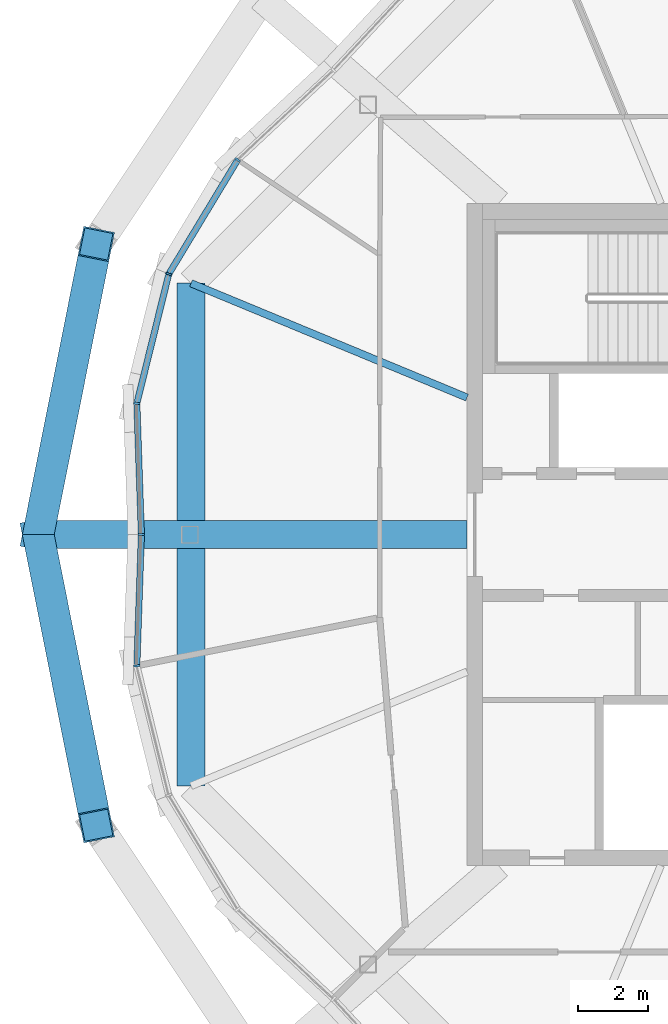
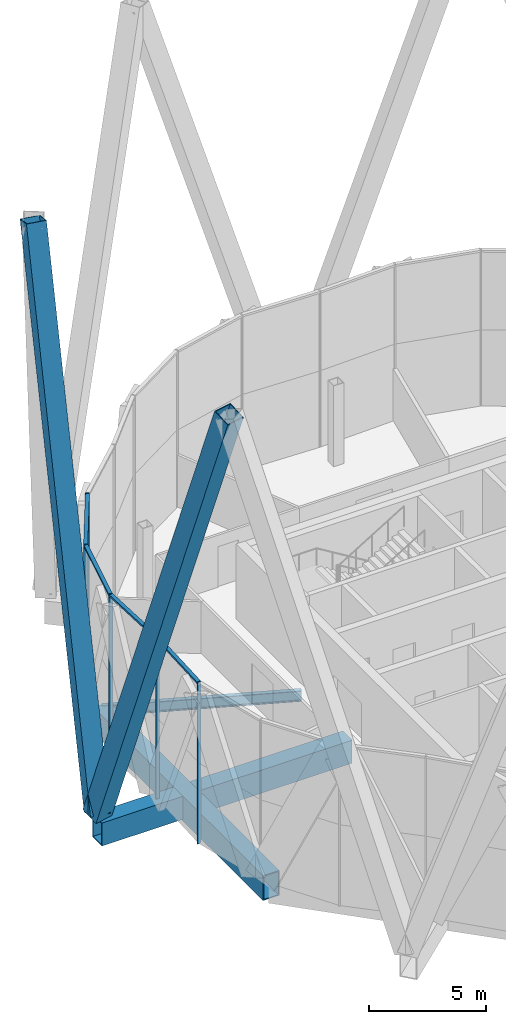
# One storey, part 5 of 38: 11 members, 3 beams, 2 elements without a shape of their own.
"""IFC4 building model written with IfcOpenShell, lengths in metres."""

from ifc_helpers import new_model, si_unit, direction, frame, origin, origin_2d, place, context, subcontext, project, spatial, rectangle, hollow_rectangle, i_section, extrude, material, material_profile, profile_set, type_object, element, aggregate, save


model = new_model("IFC4")

# Units and contexts
model_context = context("Model", 3, precision=1e-05, world=origin(), true_north=direction((0.0, 1.0)))
body_context = subcontext(model_context, "Body", "Model", "MODEL_VIEW")
ifc_project = project(units=[si_unit("LENGTHUNIT", "METRE"), si_unit("AREAUNIT", "SQUARE_METRE"), si_unit("VOLUMEUNIT", "CUBIC_METRE"), si_unit("PLANEANGLEUNIT", "RADIAN"), si_unit("MASSUNIT", "GRAM", prefix="KILO")], contexts=[model_context])

# Site, building, storey
site_placement = place(None, origin())
site = spatial("IfcSite", under=ifc_project, at=site_placement, CompositionType="ELEMENT")
building_placement = place(site_placement, origin())
building = spatial("IfcBuilding", under=site, at=building_placement, Name="Ogive Gate Towers", CompositionType="ELEMENT")
storey_placement = place(building_placement, frame((0.0, 0.0, 268.800048828125)))
storey = spatial("IfcBuildingStorey", under=building, at=storey_placement, Name="L63", CompositionType="ELEMENT", Elevation=268.800048828125)

# Members
ifc_material_1 = material(Name="Steel SM460", Category="steel")
ifc_material_profile_1 = material_profile(ifc_material_1, hollow_rectangle(XDim=0.89990234375, YDim=0.89990234375, WallThickness=0.0400390625, at=origin_2d()), Name="BX 900x900x40")
ifc_profile_set_1 = profile_set([ifc_material_profile_1], Name="Steel SM460")
member_type_1 = type_object("IfcMemberType", Name="Diagrid diagonal BX 900x900x40", PredefinedType="BRACE", material=ifc_profile_set_1)
for number, where, z_axis, x_axis, name in (
    (1, (-57.81005859375, 0.0, 0.0), (0.062591606684, 0.313729069492, 0.947447287045), (-0.980673264271, 0.195652622636, 0.0), "T1/L63/SDG009"),
    (2, (-57.81005859375, 0.0, 0.0), (0.062591606684, -0.313729069492, 0.947447287045), (0.980673264271, 0.195652622636, 0.0), "T1/L63/SDG010"),
):
    element("IfcMember", number, at=place(storey_placement, frame(where, z_axis=z_axis, x_axis=x_axis)), inside=storey, type_object=member_type_1, Name=name, PredefinedType="BRACE", context=body_context, shape_type="SweptSolid", body=[
        extrude(hollow_rectangle(XDim=0.89990234375, YDim=0.89990234375, WallThickness=0.0400390625, at=origin_2d()), origin(), (0.0, 0.0, 1.0), 26.59765625),
    ])

# Beams
ifc_material_profile_2 = material_profile(ifc_material_1, hollow_rectangle(XDim=0.800048828125, YDim=1.300048828125, WallThickness=0.050048828125, at=origin_2d()), Name="BX 1300x800x50")
ifc_profile_set_2 = profile_set([ifc_material_profile_2], Name="Steel SM460")
beam_type_1 = type_object("IfcBeamType", Name="Edge girder BX 1300x800x50", PredefinedType="BEAM", material=ifc_profile_set_2)
beam_1_placement = place(storey_placement, frame((-53.42431640625, 7.217529296875, -0.949951171875), z_axis=(0.0, -1.0, 0.0), x_axis=(1.0, 0.0, 0.0)))
element("IfcBeam", 3, at=beam_1_placement, inside=storey, type_object=beam_type_1, Name="T1/L63/SBM024", PredefinedType="BEAM", context=body_context, shape_type="SweptSolid", body=[
    extrude(hollow_rectangle(XDim=0.800048828125, YDim=1.300048828125, WallThickness=0.050048828125, at=origin_2d()), origin(), (0.0, 0.0, 1.0), 14.43505859375),
])
ifc_material_2 = material(Name="Steel SM355", Category="steel")
ifc_material_profile_3 = material_profile(ifc_material_2, i_section(OverallWidth=0.2099609375, OverallDepth=0.550048828125, WebThickness=0.010986328125, FlangeThickness=0.01708984375, FilletRadius=0.02392578125, at=origin_2d()), Name="IPE 550")
ifc_profile_set_3 = profile_set([ifc_material_profile_3], Name="Steel SM355")
beam_type_2 = type_object("IfcBeamType", Name="Radial floor beam IPE 550", PredefinedType="BEAM", material=ifc_profile_set_3)
beam_2_placement = place(storey_placement, frame((-45.5, 3.93505859375, -0.574951171875), z_axis=(-0.923874941579, 0.382694515667, 0.0), x_axis=(-0.382694515667, -0.923874941579, 0.0)))
element("IfcBeam", 4, at=beam_2_placement, inside=storey, type_object=beam_type_2, Name="T1/L63/SBM015", PredefinedType="BEAM", context=body_context, shape_type="SweptSolid", body=[
    extrude(i_section(OverallWidth=0.2099609375, OverallDepth=0.550048828125, WebThickness=0.010986328125, FlangeThickness=0.01708984375, FilletRadius=0.02392578125, at=origin_2d()), origin(), (0.0, 0.0, 1.0), 8.5771484375),
])

# Curtain wall, members
ifc_material_3 = material(Name="Pale metal aluminium", Category="aluminium")
curtain_wall_type = type_object("IfcCurtainWallType", Name="Tower unitised wall, high zone", PredefinedType="NOTDEFINED", material=ifc_material_3)
curtain_wall_1_placement = place(storey_placement, origin())
curtain_wall_1 = element("IfcCurtainWall", 5, at=curtain_wall_1_placement, inside=storey, type_object=curtain_wall_type, Name="CW2 T1 ECW04", PredefinedType="NOTDEFINED")
ifc_material_profile_4 = material_profile(ifc_material_3, rectangle(XDim=0.179931640625, YDim=0.06005859375, at=origin_2d()), Name="60 x 180 aluminium box")
ifc_profile_set_4 = profile_set([ifc_material_profile_4], Name="Pale metal aluminium")
member_type_2 = type_object("IfcMemberType", Name="Tower unitised wall, high zone mullion 60 x 180", PredefinedType="MULLION", material=ifc_profile_set_4)
member_1_placement = place(storey_placement, frame((-52.084716796875, 10.757568359375, -0.300048828125), z_axis=(0.0, 0.0, 1.0), x_axis=(-0.776563492267, 0.630039000759, 0.0)))
member_1 = element("IfcMember", 6, at=member_1_placement, type_object=member_type_2, Name="CW2 mullion", PredefinedType="MULLION", context=body_context, shape_type="SweptSolid", body=[
    extrude(rectangle(XDim=0.179931640625, YDim=0.06005859375, at=origin_2d()), origin(), (0.0, 0.0, 1.0), 8.39990234375),
])
member_2_placement = place(storey_placement, frame((-54.06298828125, 7.48193359375, -0.300048828125), z_axis=(0.0, 0.0, 1.0), x_axis=(-0.923879532511, 0.382683432365, 0.0)))
member_2 = element("IfcMember", 7, at=member_2_placement, type_object=member_type_2, Name="CW2 mullion", PredefinedType="MULLION", context=body_context, shape_type="SweptSolid", body=[
    extrude(rectangle(XDim=0.179931640625, YDim=0.06005859375, at=origin_2d()), origin(), (0.0, 0.0, 1.0), 8.39990234375),
])
member_3_placement = place(storey_placement, frame((-54.98046875, 3.766845703125, -0.300048828125), z_axis=(0.0, 0.0, 1.0), x_axis=(-0.994618161253, 0.103608461555, 0.0)))
member_3 = element("IfcMember", 8, at=member_3_placement, type_object=member_type_2, Name="CW2 mullion", PredefinedType="MULLION", context=body_context, shape_type="SweptSolid", body=[
    extrude(rectangle(XDim=0.179931640625, YDim=0.06005859375, at=origin_2d()), origin(), (0.0, 0.0, 1.0), 8.39990234375),
])
member_4_placement = place(storey_placement, frame((-54.85009765625, 0.000244140625, -0.300048828125), z_axis=(0.0, 0.0, 1.0), x_axis=(-0.999403551225, -0.034533198497, 0.0)))
member_4 = element("IfcMember", 9, at=member_4_placement, type_object=member_type_2, Name="CW2 mullion", PredefinedType="MULLION", context=body_context, shape_type="SweptSolid", body=[
    extrude(rectangle(XDim=0.179931640625, YDim=0.06005859375, at=origin_2d()), origin(), (0.0, 0.0, 1.0), 8.39990234375),
])

# Curtain wall, member
curtain_wall_2_placement = place(storey_placement, origin())
curtain_wall_2 = element("IfcCurtainWall", 10, at=curtain_wall_2_placement, inside=storey, type_object=curtain_wall_type, Name="CW2 T1 ECW05", PredefinedType="NOTDEFINED")
member_5_placement = place(storey_placement, frame((-54.98046875, -3.766845703125, -0.300048828125), z_axis=(0.0, 0.0, 1.0), x_axis=(-0.994618161253, -0.103608461555, 0.0)))
member_5 = element("IfcMember", 11, at=member_5_placement, type_object=member_type_2, Name="CW2 mullion", PredefinedType="MULLION", context=body_context, shape_type="SweptSolid", body=[
    extrude(rectangle(XDim=0.179931640625, YDim=0.06005859375, at=origin_2d()), origin(), (0.0, 0.0, 1.0), 8.39990234375),
])

# Member
ifc_material_profile_5 = material_profile(ifc_material_3, rectangle(XDim=0.179931640625, YDim=0.10009765625, at=origin_2d()), Name="100 x 180 aluminium box")
ifc_profile_set_5 = profile_set([ifc_material_profile_5], Name="Pale metal aluminium")
member_type_3 = type_object("IfcMemberType", Name="Tower unitised wall, high zone transom 100 x 180", PredefinedType="USERDEFINED", material=ifc_profile_set_5)
member_6_placement = place(storey_placement, frame((-52.099365234375, 10.73291015625, 8.050048828125), z_axis=(-0.516960440677, -0.856009288954, 0.0), x_axis=(0.856009288954, -0.516960440677, 0.0)))
member_6 = element("IfcMember", 12, at=member_6_placement, type_object=member_type_3, Name="CW2 transom", ObjectType="TRANSOM", PredefinedType="USERDEFINED", context=body_context, shape_type="SweptSolid", body=[
    extrude(rectangle(XDim=0.179931640625, YDim=0.10009765625, at=origin_2d()), origin(), (0.0, 0.0, 1.0), 3.76953125),
])

member_7_placement = place(storey_placement, frame((-54.069580078125, 7.4541015625, 8.050048828125), z_axis=(-0.239776231218, -0.970828181988, 0.0), x_axis=(0.970828181988, -0.239776231218, 0.0)))
member_7 = element("IfcMember", 13, at=member_7_placement, type_object=member_type_3, Name="CW2 transom", ObjectType="TRANSOM", PredefinedType="USERDEFINED", context=body_context, shape_type="SweptSolid", body=[
    extrude(rectangle(XDim=0.179931640625, YDim=0.10009765625, at=origin_2d()), origin(), (0.0, 0.0, 1.0), 3.769287109375),
])

member_8_placement = place(storey_placement, frame((-54.979248046875, 3.73828125, 8.050048828125), z_axis=(0.034546130482, -0.999403104292, 0.0), x_axis=(0.999403104292, 0.034546130482, 0.0)))
member_8 = element("IfcMember", 14, at=member_8_placement, type_object=member_type_3, Name="CW2 transom", ObjectType="TRANSOM", PredefinedType="USERDEFINED", context=body_context, shape_type="SweptSolid", body=[
    extrude(rectangle(XDim=0.179931640625, YDim=0.10009765625, at=origin_2d()), origin(), (0.0, 0.0, 1.0), 3.710205078125),
])

aggregate(curtain_wall_1, [member_1, member_2, member_6, member_3, member_7, member_4, member_8])

member_9_placement = place(storey_placement, frame((-54.85107421875, -0.0302734375, 8.050048828125), z_axis=(-0.034546130482, -0.999403104292, 0.0), x_axis=(0.999403104292, -0.034546130482, 0.0)))
member_9 = element("IfcMember", 15, at=member_9_placement, type_object=member_type_3, Name="CW2 transom", ObjectType="TRANSOM", PredefinedType="USERDEFINED", context=body_context, shape_type="SweptSolid", body=[
    extrude(rectangle(XDim=0.179931640625, YDim=0.10009765625, at=origin_2d()), origin(), (0.0, 0.0, 1.0), 3.710205078125),
])

aggregate(curtain_wall_2, [member_5, member_9])

# Beam
ifc_material_profile_6 = material_profile(ifc_material_1, hollow_rectangle(XDim=0.800048828125, YDim=1.199951171875, WallThickness=0.050048828125, at=origin_2d()), Name="BX 1200x800x50")
ifc_profile_set_6 = profile_set([ifc_material_profile_6], Name="Steel SM460")
beam_type_3 = type_object("IfcBeamType", Name="Transfer radial beam BX 1200x800x50", PredefinedType="BEAM", material=ifc_profile_set_6)
beam_3_placement = place(storey_placement, frame((-45.5, 0.0, -0.900146484375), z_axis=(-1.0, 0.0, 0.0), x_axis=(0.0, -1.0, 0.0)))
element("IfcBeam", 16, at=beam_3_placement, inside=storey, type_object=beam_type_3, Name="T1/L63/SBM016", PredefinedType="BEAM", context=body_context, shape_type="SweptSolid", body=[
    extrude(hollow_rectangle(XDim=0.800048828125, YDim=1.199951171875, WallThickness=0.050048828125, at=origin_2d()), origin(), (0.0, 0.0, 1.0), 12.31005859375),
])

save(model, "model.ifc")
